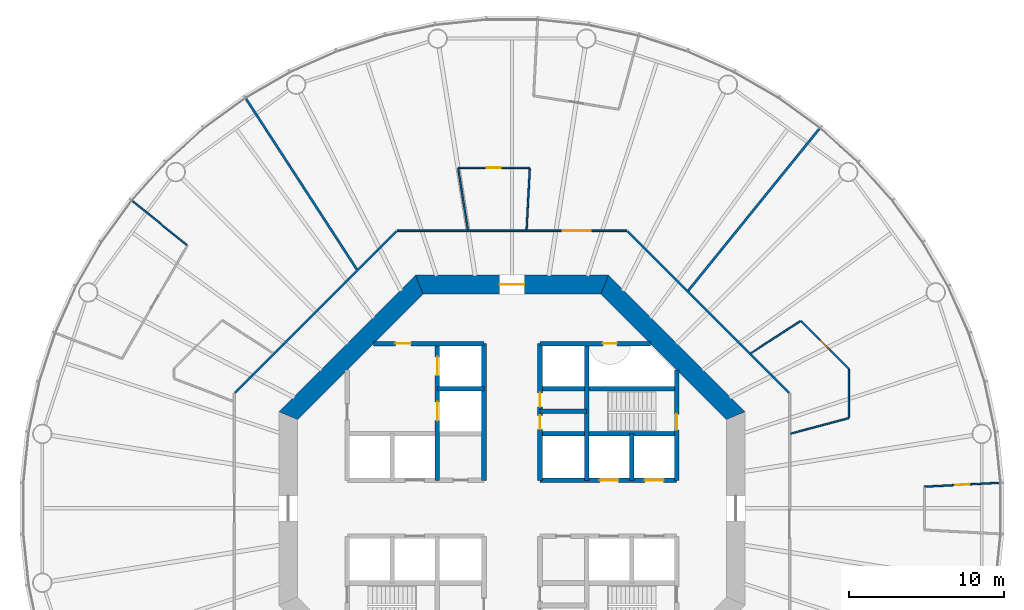
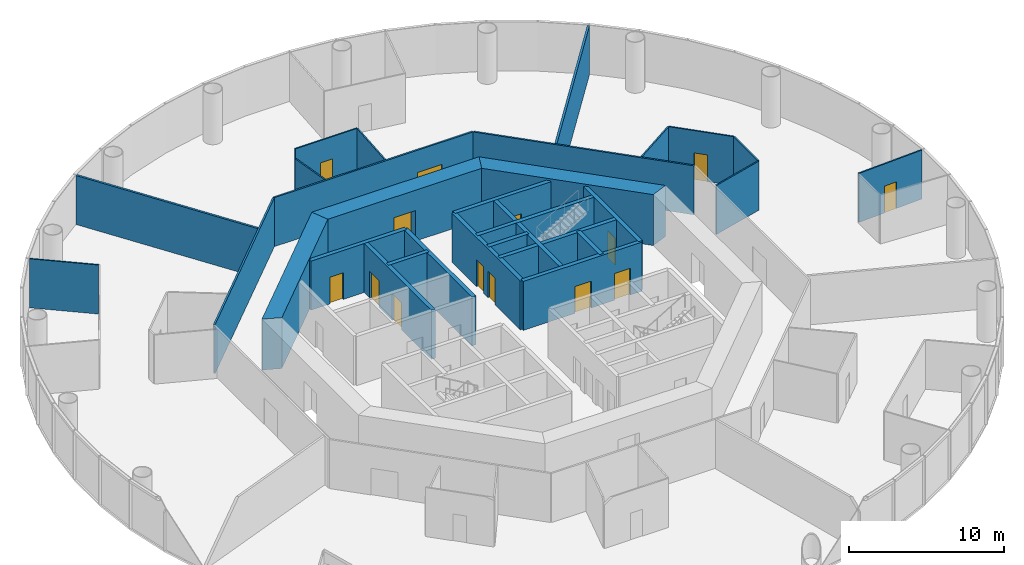
# One storey, part 5 of 13: 30 walls, 14 doors, 14 openings.
"""IFC4 building model written with IfcOpenShell, lengths in metres."""

from ifc_helpers import new_model, si_unit, direction, frame, frame_2d, origin, place, context, subcontext, project, spatial, polyline, rectangle, outline, extrude, material, layer, layer_set, type_object, element, fill, save


model = new_model("IFC4")

# Units and contexts
model_context = context("Model", 3, precision=1e-05, world=origin(), true_north=direction((0.0, 1.0)))
body_context = subcontext(model_context, "Body", "Model", "MODEL_VIEW")
ifc_project = project(units=[si_unit("LENGTHUNIT", "METRE"), si_unit("AREAUNIT", "SQUARE_METRE"), si_unit("VOLUMEUNIT", "CUBIC_METRE"), si_unit("PLANEANGLEUNIT", "RADIAN"), si_unit("MASSUNIT", "GRAM", prefix="KILO")], contexts=[model_context])

# Site, building, storey
site_placement = place(None, origin())
site = spatial("IfcSite", under=ifc_project, at=site_placement, CompositionType="ELEMENT")
building_placement = place(site_placement, origin())
building = spatial("IfcBuilding", under=site, at=building_placement, Name="Entoto Ring Tower", CompositionType="ELEMENT")
storey_placement = place(building_placement, frame((0.0, 0.0, 124.0)))
storey = spatial("IfcBuildingStorey", under=building, at=storey_placement, Name="L28", CompositionType="ELEMENT", Elevation=124.0)

# Wall, opening, door
ifc_material_1 = material(Name="Concrete C40/50", Category="concrete")
ifc_layer_1 = layer(ifc_material_1, 0.300048828125)
ifc_layer_set_1 = layer_set([ifc_layer_1], Name="Concrete C40/50")
wall_type_1 = type_object("IfcWallType", Name="Core enclosure wall 300 mm reinforced concrete", PredefinedType="SOLIDWALL", material=ifc_layer_set_1)
wall_1_placement = place(storey_placement, frame((100.60009765625, 81.800048828125, 0.0), z_axis=(0.0, 0.0, 1.0), x_axis=(0.0, 1.0, 0.0)))
wall_1 = element("IfcWall", 1, at=wall_1_placement, inside=storey, type_object=wall_type_1, Name="wall-L28-002", PredefinedType="SOLIDWALL", context=body_context, shape_type="SweptSolid", body=[
    extrude(rectangle(XDim=7.115966796875, YDim=0.300048828125, at=frame_2d((3.55810546875, 0.0))), origin(), (0.0, 0.0, 1.0), 3.85009765625),
])
opening_1_placement = place(wall_1_placement, frame((3.25, 0.0, 0.0)))
opening_1 = element("IfcOpeningElement", 2, at=opening_1_placement, cuts=wall_1, Name="Opening K-65", PredefinedType="OPENING", context=body_context, shape_type="SweptSolid", body=[
    extrude(rectangle(XDim=1.0, YDim=2.10009765625, at=frame_2d((0.5, 1.050048828125))), frame((0.0, 0.16015625, 0.0), z_axis=(0.0, -1.0, 0.0), x_axis=(1.0, 0.0, 0.0)), (0.0, 0.0, 1.0), 0.320068359375),
])
ifc_material_2 = material(Name="Steel door leaf, fire rated", Category="steel")
ifc_layer_2 = layer(ifc_material_2, 0.050048828125)
ifc_layer_set_2 = layer_set([ifc_layer_2], Name="Steel door leaf, fire rated")
door_type_1 = type_object("IfcDoorType", Name="Fire door FD60 1000 x 2100 single leaf", OperationType="NOTDEFINED", PredefinedType="DOOR", material=ifc_layer_set_2)
door_1_placement = place(opening_1_placement, origin())
door_1 = element("IfcDoor", 3, at=door_1_placement, inside=storey, type_object=door_type_1, Name="Door K-65", OperationType="SINGLE_SWING_RIGHT", OverallHeight=2.10009765625, OverallWidth=1.0, PredefinedType="DOOR", context=body_context, shape_type="SweptSolid", body=[
    extrude(rectangle(XDim=1.0, YDim=2.10009765625, at=frame_2d((0.5, 1.050048828125))), frame((0.0, 0.02490234375, 0.0), z_axis=(0.0, -1.0, 0.0), x_axis=(1.0, 0.0, 0.0)), (0.0, 0.0, 1.0), 0.050048828125),
])
fill(opening_1, door_1)

# Walls
wall_2_placement = place(storey_placement, frame((97.699951171875, 81.800048828125, 0.0), z_axis=(0.0, 0.0, 1.0), x_axis=(0.0, 1.0, 0.0)))
element("IfcWall", 4, at=wall_2_placement, inside=storey, type_object=wall_type_1, Name="wall-L28-004", PredefinedType="SOLIDWALL", context=body_context, shape_type="SweptSolid", body=[
    extrude(rectangle(XDim=3.0, YDim=0.300048828125, at=frame_2d((1.5, 0.0))), origin(), (0.0, 0.0, 1.0), 3.85009765625),
])
wall_3_placement = place(storey_placement, frame((94.800048828125, 81.800048828125, 0.0), z_axis=(0.0, 0.0, 1.0), x_axis=(0.0, 1.0, 0.0)))
element("IfcWall", 5, at=wall_3_placement, inside=storey, type_object=wall_type_1, Name="wall-L28-006", PredefinedType="SOLIDWALL", context=body_context, shape_type="SweptSolid", body=[
    extrude(rectangle(XDim=8.800048828125, YDim=0.300048828125, at=frame_2d((4.39990234375, 0.0))), origin(), (0.0, 0.0, 1.0), 3.85009765625),
])

# Wall, openings, doors
wall_4_placement = place(storey_placement, frame((91.800048828125, 81.800048828125, 0.0), z_axis=(0.0, 0.0, 1.0), x_axis=(0.0, 1.0, 0.0)))
wall_4 = element("IfcWall", 6, at=wall_4_placement, inside=storey, type_object=wall_type_1, Name="wall-L28-008", PredefinedType="SOLIDWALL", context=body_context, shape_type="SweptSolid", body=[
    extrude(rectangle(XDim=8.800048828125, YDim=0.300048828125, at=frame_2d((4.39990234375, 0.0))), origin(), (0.0, 0.0, 1.0), 3.85009765625),
])
opening_2_placement = place(wall_4_placement, frame((3.27490234375, 0.0, 0.0)))
opening_2 = element("IfcOpeningElement", 7, at=opening_2_placement, cuts=wall_4, Name="Opening K-11", PredefinedType="OPENING", context=body_context, shape_type="SweptSolid", body=[
    extrude(rectangle(XDim=0.89990234375, YDim=2.10009765625, at=frame_2d((0.449951171875, 1.050048828125))), frame((0.0, 0.16015625, 0.0), z_axis=(0.0, -1.0, 0.0), x_axis=(1.0, 0.0, 0.0)), (0.0, 0.0, 1.0), 0.320068359375),
])
opening_3_placement = place(wall_4_placement, frame((4.72509765625, 0.0, 0.0)))
opening_3 = element("IfcOpeningElement", 8, at=opening_3_placement, cuts=wall_4, Name="Opening K-12", PredefinedType="OPENING", context=body_context, shape_type="SweptSolid", body=[
    extrude(rectangle(XDim=0.89990234375, YDim=2.10009765625, at=frame_2d((0.449951171875, 1.050048828125))), frame((0.0, 0.16015625, 0.0), z_axis=(0.0, -1.0, 0.0), x_axis=(1.0, 0.0, 0.0)), (0.0, 0.0, 1.0), 0.320068359375),
])
ifc_material_3 = material(Name="Steel door leaf, fire rated", Category="steel")
ifc_layer_3 = layer(ifc_material_3, 0.050048828125)
ifc_layer_set_3 = layer_set([ifc_layer_3], Name="Steel door leaf, fire rated")
door_type_2 = type_object("IfcDoorType", Name="Core door 900 x 2100 single leaf", OperationType="NOTDEFINED", PredefinedType="DOOR", material=ifc_layer_set_3)
door_2_placement = place(opening_2_placement, origin())
door_2 = element("IfcDoor", 9, at=door_2_placement, inside=storey, type_object=door_type_2, Name="Door K-11", OperationType="SINGLE_SWING_RIGHT", OverallHeight=2.10009765625, OverallWidth=0.89990234375, PredefinedType="DOOR", context=body_context, shape_type="SweptSolid", body=[
    extrude(rectangle(XDim=0.89990234375, YDim=2.10009765625, at=frame_2d((0.449951171875, 1.050048828125))), frame((0.0, 0.02490234375, 0.0), z_axis=(0.0, -1.0, 0.0), x_axis=(1.0, 0.0, 0.0)), (0.0, 0.0, 1.0), 0.050048828125),
])
fill(opening_2, door_2)
door_3_placement = place(opening_3_placement, origin())
door_3 = element("IfcDoor", 10, at=door_3_placement, inside=storey, type_object=door_type_2, Name="Door K-12", OperationType="SINGLE_SWING_RIGHT", OverallHeight=2.10009765625, OverallWidth=0.89990234375, PredefinedType="DOOR", context=body_context, shape_type="SweptSolid", body=[
    extrude(rectangle(XDim=0.89990234375, YDim=2.10009765625, at=frame_2d((0.449951171875, 1.050048828125))), frame((0.0, 0.02490234375, 0.0), z_axis=(0.0, -1.0, 0.0), x_axis=(1.0, 0.0, 0.0)), (0.0, 0.0, 1.0), 0.050048828125),
])
fill(opening_3, door_3)

# Wall
wall_5_placement = place(storey_placement, frame((88.199951171875, 81.800048828125, 0.0), z_axis=(0.0, 0.0, 1.0), x_axis=(0.0, 1.0, 0.0)))
element("IfcWall", 11, at=wall_5_placement, inside=storey, type_object=wall_type_1, Name="wall-L28-010", PredefinedType="SOLIDWALL", context=body_context, shape_type="SweptSolid", body=[
    extrude(rectangle(XDim=8.800048828125, YDim=0.300048828125, at=frame_2d((4.39990234375, 0.0))), origin(), (0.0, 0.0, 1.0), 3.85009765625),
])

# Wall, openings, doors
wall_6_placement = place(storey_placement, frame((85.199951171875, 81.800048828125, 0.0), z_axis=(0.0, 0.0, 1.0), x_axis=(0.0, 1.0, 0.0)))
wall_6 = element("IfcWall", 12, at=wall_6_placement, inside=storey, type_object=wall_type_1, Name="wall-L28-012", PredefinedType="SOLIDWALL", context=body_context, shape_type="SweptSolid", body=[
    extrude(rectangle(XDim=8.800048828125, YDim=0.300048828125, at=frame_2d((4.39990234375, 0.0))), origin(), (0.0, 0.0, 1.0), 3.85009765625),
])
opening_4_placement = place(wall_6_placement, frame((3.85009765625, 0.0, 0.0)))
opening_4 = element("IfcOpeningElement", 13, at=opening_4_placement, cuts=wall_6, Name="Opening LD", PredefinedType="OPENING", context=body_context, shape_type="SweptSolid", body=[
    extrude(rectangle(XDim=1.199951171875, YDim=2.10009765625, at=frame_2d((0.60009765625, 1.050048828125))), frame((0.0, 0.16015625, 0.0), z_axis=(0.0, -1.0, 0.0), x_axis=(1.0, 0.0, 0.0)), (0.0, 0.0, 1.0), 0.320068359375),
])
opening_5_placement = place(wall_6_placement, frame((6.75, 0.0, 0.0)))
opening_5 = element("IfcOpeningElement", 14, at=opening_5_placement, cuts=wall_6, Name="Opening LD", PredefinedType="OPENING", context=body_context, shape_type="SweptSolid", body=[
    extrude(rectangle(XDim=1.199951171875, YDim=2.10009765625, at=frame_2d((0.60009765625, 1.050048828125))), frame((0.0, 0.16015625, 0.0), z_axis=(0.0, -1.0, 0.0), x_axis=(1.0, 0.0, 0.0)), (0.0, 0.0, 1.0), 0.320068359375),
])
ifc_material_4 = material(Name="Steel and glass door leaf", Category="steel")
ifc_layer_4 = layer(ifc_material_4, 0.050048828125)
ifc_layer_set_4 = layer_set([ifc_layer_4], Name="Steel and glass door leaf")
door_type_3 = type_object("IfcDoorType", Name="Landing door 1200 x 2100 sliding", OperationType="DOUBLE_DOOR_SLIDING", PredefinedType="DOOR", material=ifc_layer_set_4)
door_4_placement = place(opening_4_placement, origin())
door_4 = element("IfcDoor", 15, at=door_4_placement, inside=storey, type_object=door_type_3, Name="Landing door FF1", OperationType="SLIDING_TO_RIGHT", OverallHeight=2.10009765625, OverallWidth=1.199951171875, PredefinedType="DOOR", context=body_context, shape_type="SweptSolid", body=[
    extrude(rectangle(XDim=1.199951171875, YDim=2.10009765625, at=frame_2d((0.60009765625, 1.050048828125))), frame((0.0, 0.02490234375, 0.0), z_axis=(0.0, -1.0, 0.0), x_axis=(1.0, 0.0, 0.0)), (0.0, 0.0, 1.0), 0.050048828125),
])
fill(opening_4, door_4)
door_5_placement = place(opening_5_placement, origin())
door_5 = element("IfcDoor", 16, at=door_5_placement, inside=storey, type_object=door_type_3, Name="Landing door FF2", OperationType="SLIDING_TO_RIGHT", OverallHeight=2.10009765625, OverallWidth=1.199951171875, PredefinedType="DOOR", context=body_context, shape_type="SweptSolid", body=[
    extrude(rectangle(XDim=1.199951171875, YDim=2.10009765625, at=frame_2d((0.60009765625, 1.050048828125))), frame((0.0, 0.02490234375, 0.0), z_axis=(0.0, -1.0, 0.0), x_axis=(1.0, 0.0, 0.0)), (0.0, 0.0, 1.0), 0.050048828125),
])
fill(opening_5, door_5)

wall_7_placement = place(storey_placement, frame((91.800048828125, 81.800048828125, 0.0), z_axis=(0.0, 0.0, 1.0), x_axis=(1.0, 0.0, 0.0)))
wall_7 = element("IfcWall", 17, at=wall_7_placement, inside=storey, type_object=wall_type_1, Name="wall-L28-028", PredefinedType="SOLIDWALL", context=body_context, shape_type="SweptSolid", body=[
    extrude(rectangle(XDim=8.800048828125, YDim=0.300048828125, at=frame_2d((4.39990234375, 0.0))), origin(), (0.0, 0.0, 1.0), 3.85009765625),
])
opening_6_placement = place(wall_7_placement, frame((3.85009765625, 0.0, 0.0)))
opening_6 = element("IfcOpeningElement", 18, at=opening_6_placement, cuts=wall_7, Name="Opening LD", PredefinedType="OPENING", context=body_context, shape_type="SweptSolid", body=[
    extrude(rectangle(XDim=1.199951171875, YDim=2.10009765625, at=frame_2d((0.60009765625, 1.050048828125))), frame((0.0, 0.16015625, 0.0), z_axis=(0.0, -1.0, 0.0), x_axis=(1.0, 0.0, 0.0)), (0.0, 0.0, 1.0), 0.320068359375),
])
opening_7_placement = place(wall_7_placement, frame((6.75, 0.0, 0.0)))
opening_7 = element("IfcOpeningElement", 19, at=opening_7_placement, cuts=wall_7, Name="Opening LD", PredefinedType="OPENING", context=body_context, shape_type="SweptSolid", body=[
    extrude(rectangle(XDim=1.199951171875, YDim=2.10009765625, at=frame_2d((0.60009765625, 1.050048828125))), frame((0.0, 0.16015625, 0.0), z_axis=(0.0, -1.0, 0.0), x_axis=(1.0, 0.0, 0.0)), (0.0, 0.0, 1.0), 0.320068359375),
])
door_6_placement = place(opening_6_placement, origin())
door_6 = element("IfcDoor", 20, at=door_6_placement, inside=storey, type_object=door_type_3, Name="Landing door LB1-LR", OperationType="SLIDING_TO_RIGHT", OverallHeight=2.10009765625, OverallWidth=1.199951171875, PredefinedType="DOOR", context=body_context, shape_type="SweptSolid", body=[
    extrude(rectangle(XDim=1.199951171875, YDim=2.10009765625, at=frame_2d((0.60009765625, 1.050048828125))), frame((0.0, 0.02490234375, 0.0), z_axis=(0.0, -1.0, 0.0), x_axis=(1.0, 0.0, 0.0)), (0.0, 0.0, 1.0), 0.050048828125),
])
fill(opening_6, door_6)
door_7_placement = place(opening_7_placement, origin())
door_7 = element("IfcDoor", 21, at=door_7_placement, inside=storey, type_object=door_type_3, Name="Landing door LB2-LR", OperationType="SLIDING_TO_RIGHT", OverallHeight=2.10009765625, OverallWidth=1.199951171875, PredefinedType="DOOR", context=body_context, shape_type="SweptSolid", body=[
    extrude(rectangle(XDim=1.199951171875, YDim=2.10009765625, at=frame_2d((0.60009765625, 1.050048828125))), frame((0.0, 0.02490234375, 0.0), z_axis=(0.0, -1.0, 0.0), x_axis=(1.0, 0.0, 0.0)), (0.0, 0.0, 1.0), 0.050048828125),
])
fill(opening_7, door_7)

# Walls
wall_8_placement = place(storey_placement, frame((91.800048828125, 84.800048828125, 0.0), z_axis=(0.0, 0.0, 1.0), x_axis=(1.0, 0.0, 0.0)))
element("IfcWall", 22, at=wall_8_placement, inside=storey, type_object=wall_type_1, Name="wall-L28-030", PredefinedType="SOLIDWALL", context=body_context, shape_type="SweptSolid", body=[
    extrude(rectangle(XDim=8.800048828125, YDim=0.300048828125, at=frame_2d((4.39990234375, 0.0))), origin(), (0.0, 0.0, 1.0), 3.85009765625),
])
for number, where, z_axis, x_axis, name in (
    (23, (91.800048828125, 86.25, 0.0), (0.0, 0.0, 1.0), (1.0, 0.0, 0.0), "wall-L28-031"),
    (24, (85.199951171875, 87.699951171875, 0.0), (0.0, 0.0, 1.0), (1.0, 0.0, 0.0), "wall-L28-032"),
):
    element("IfcWall", number, at=place(storey_placement, frame(where, z_axis=z_axis, x_axis=x_axis)), inside=storey, type_object=wall_type_1, Name=name, PredefinedType="SOLIDWALL", context=body_context, shape_type="SweptSolid", body=[
        extrude(rectangle(XDim=3.0, YDim=0.300048828125, at=frame_2d((1.5, 0.0))), origin(), (0.0, 0.0, 1.0), 3.85009765625),
    ])
wall_9_placement = place(storey_placement, frame((91.800048828125, 87.699951171875, 0.0), z_axis=(0.0, 0.0, 1.0), x_axis=(1.0, 0.0, 0.0)))
element("IfcWall", 25, at=wall_9_placement, inside=storey, type_object=wall_type_1, Name="wall-L28-033", PredefinedType="SOLIDWALL", context=body_context, shape_type="SweptSolid", body=[
    extrude(rectangle(XDim=8.800048828125, YDim=0.300048828125, at=frame_2d((4.39990234375, 0.0))), origin(), (0.0, 0.0, 1.0), 3.85009765625),
])

# Wall, opening, door
wall_10_placement = place(storey_placement, frame((81.083984375, 90.60009765625, 0.0), z_axis=(0.0, 0.0, 1.0), x_axis=(1.0, 0.0, 0.0)))
wall_10 = element("IfcWall", 26, at=wall_10_placement, inside=storey, type_object=wall_type_1, Name="wall-L28-034", PredefinedType="SOLIDWALL", context=body_context, shape_type="SweptSolid", body=[
    extrude(rectangle(XDim=7.115966796875, YDim=0.300048828125, at=frame_2d((3.55810546875, 0.0))), origin(), (0.0, 0.0, 1.0), 3.85009765625),
])
opening_8_placement = place(wall_10_placement, frame((1.416015625, 0.0, 0.0)))
opening_8 = element("IfcOpeningElement", 27, at=opening_8_placement, cuts=wall_10, Name="Opening K-27", PredefinedType="OPENING", context=body_context, shape_type="SweptSolid", body=[
    extrude(rectangle(XDim=1.0, YDim=2.10009765625, at=frame_2d((0.5, 1.050048828125))), frame((0.0, 0.16015625, 0.0), z_axis=(0.0, -1.0, 0.0), x_axis=(1.0, 0.0, 0.0)), (0.0, 0.0, 1.0), 0.320068359375),
])
door_8_placement = place(opening_8_placement, frame((1.0, 0.0, 0.0), z_axis=(0.0, 0.0, 1.0), x_axis=(-1.0, 0.0, 0.0)))
door_8 = element("IfcDoor", 28, at=door_8_placement, inside=storey, type_object=door_type_1, Name="Door K-27", OperationType="SINGLE_SWING_RIGHT", OverallHeight=2.10009765625, OverallWidth=1.0, PredefinedType="DOOR", context=body_context, shape_type="SweptSolid", body=[
    extrude(rectangle(XDim=1.0, YDim=2.10009765625, at=frame_2d((0.5, 1.050048828125))), frame((0.0, 0.02490234375, 0.0), z_axis=(0.0, -1.0, 0.0), x_axis=(1.0, 0.0, 0.0)), (0.0, 0.0, 1.0), 0.050048828125),
])
fill(opening_8, door_8)

wall_11_placement = place(storey_placement, frame((91.800048828125, 90.60009765625, 0.0), z_axis=(0.0, 0.0, 1.0), x_axis=(1.0, 0.0, 0.0)))
wall_11 = element("IfcWall", 29, at=wall_11_placement, inside=storey, type_object=wall_type_1, Name="wall-L28-035", PredefinedType="SOLIDWALL", context=body_context, shape_type="SweptSolid", body=[
    extrude(rectangle(XDim=7.115966796875, YDim=0.300048828125, at=frame_2d((3.55810546875, 0.0))), origin(), (0.0, 0.0, 1.0), 3.85009765625),
])
opening_9_placement = place(wall_11_placement, frame((4.050048828125, 0.0, 0.0)))
opening_9 = element("IfcOpeningElement", 30, at=opening_9_placement, cuts=wall_11, Name="Opening K-72", PredefinedType="OPENING", context=body_context, shape_type="SweptSolid", body=[
    extrude(rectangle(XDim=0.89990234375, YDim=2.10009765625, at=frame_2d((0.449951171875, 1.050048828125))), frame((0.0, 0.16015625, 0.0), z_axis=(0.0, -1.0, 0.0), x_axis=(1.0, 0.0, 0.0)), (0.0, 0.0, 1.0), 0.320068359375),
])
ifc_material_5 = material(Name="Steel door leaf, fire rated", Category="steel")
ifc_layer_5 = layer(ifc_material_5, 0.050048828125)
ifc_layer_set_5 = layer_set([ifc_layer_5], Name="Steel door leaf, fire rated")
door_type_4 = type_object("IfcDoorType", Name="Riser door FD60 900 x 2100 single leaf", OperationType="NOTDEFINED", PredefinedType="DOOR", material=ifc_layer_set_5)
door_9_placement = place(opening_9_placement, frame((0.89990234375, 0.0, 0.0), z_axis=(0.0, 0.0, 1.0), x_axis=(-1.0, 0.0, 0.0)))
door_9 = element("IfcDoor", 31, at=door_9_placement, inside=storey, type_object=door_type_4, Name="Door K-72", OperationType="SINGLE_SWING_LEFT", OverallHeight=2.10009765625, OverallWidth=0.89990234375, PredefinedType="DOOR", context=body_context, shape_type="SweptSolid", body=[
    extrude(rectangle(XDim=0.89990234375, YDim=2.10009765625, at=frame_2d((0.449951171875, 1.050048828125))), frame((0.0, 0.02490234375, 0.0), z_axis=(0.0, -1.0, 0.0), x_axis=(1.0, 0.0, 0.0)), (0.0, 0.0, 1.0), 0.050048828125),
])
fill(opening_9, door_9)

# Wall
ifc_material_6 = material(Name="Concrete C60/75", Category="concrete")
ifc_layer_6 = layer(ifc_material_6, 1.199951171875)
ifc_layer_set_6 = layer_set([ifc_layer_6], Name="Concrete C60/75")
wall_type_2 = type_object("IfcWallType", Name="Core shear wall 1200 mm reinforced concrete C60/75", PredefinedType="SHEAR", material=ifc_layer_set_6)
wall_12_placement = place(storey_placement, frame((104.39990234375, 85.964599609375, 0.0), z_axis=(0.0, 0.0, 1.0), x_axis=(-0.707106781187, 0.707106781187, 0.0)))
element("IfcWall", 32, at=wall_12_placement, inside=storey, type_object=wall_type_2, Name="wall-L28-core-1", PredefinedType="SHEAR", context=body_context, shape_type="SweptSolid", body=[
    extrude(outline(polyline([(-0.24853515625, -0.60009765625), (12.177734375, -0.60009765625), (11.6806640625, 0.60009765625), (0.24853515625, 0.60009765625), (-0.24853515625, -0.60009765625)])), origin(), (0.0, 0.0, 1.0), 4.0),
])

# Wall, opening, door
wall_13_placement = place(storey_placement, frame((95.964599609375, 94.39990234375, 0.0), z_axis=(0.0, 0.0, 1.0), x_axis=(-1.0, 0.0, 0.0)))
wall_13 = element("IfcWall", 33, at=wall_13_placement, inside=storey, type_object=wall_type_2, Name="wall-L28-core-2", PredefinedType="SHEAR", context=body_context, shape_type="SweptSolid", body=[
    extrude(outline(polyline([(-0.24853515625, -0.60009765625), (12.177734375, -0.60009765625), (11.6806640625, 0.60009765625), (0.24853515625, 0.60009765625), (-0.24853515625, -0.60009765625)])), origin(), (0.0, 0.0, 1.0), 4.0),
])
opening_10_placement = place(wall_13_placement, frame((5.164794921875, 0.0, 0.0)))
opening_10 = element("IfcOpeningElement", 34, at=opening_10_placement, cuts=wall_13, Name="Opening K-02", PredefinedType="OPENING", context=body_context, shape_type="SweptSolid", body=[
    extrude(rectangle(XDim=1.60009765625, YDim=2.39990234375, at=frame_2d((0.800048828125, 1.199951171875))), frame((0.0, 0.60986328125, 0.0), z_axis=(0.0, -1.0, 0.0), x_axis=(1.0, 0.0, 0.0)), (0.0, 0.0, 1.0), 1.219970703125),
])
ifc_material_7 = material(Name="Steel door leaf, fire rated", Category="steel")
ifc_layer_7 = layer(ifc_material_7, 0.050048828125)
ifc_layer_set_7 = layer_set([ifc_layer_7], Name="Steel door leaf, fire rated")
door_type_5 = type_object("IfcDoorType", Name="Entrance door FD60 1600 x 2400 double leaf", OperationType="DOUBLE_DOOR_SINGLE_SWING", PredefinedType="DOOR", material=ifc_layer_set_7)
door_10_placement = place(opening_10_placement, origin())
door_10 = element("IfcDoor", 35, at=door_10_placement, inside=storey, type_object=door_type_5, Name="Entrance door K-02", OperationType="DOUBLE_DOOR_SINGLE_SWING", OverallHeight=2.39990234375, OverallWidth=1.60009765625, PredefinedType="DOOR", context=body_context, shape_type="SweptSolid", body=[
    extrude(rectangle(XDim=1.60009765625, YDim=2.39990234375, at=frame_2d((0.800048828125, 1.199951171875))), frame((0.0, 0.02490234375, 0.0), z_axis=(0.0, -1.0, 0.0), x_axis=(1.0, 0.0, 0.0)), (0.0, 0.0, 1.0), 0.050048828125),
])
fill(opening_10, door_10)

# Wall
wall_14_placement = place(storey_placement, frame((84.035400390625, 94.39990234375, 0.0), z_axis=(0.0, 0.0, 1.0), x_axis=(-0.707106781187, -0.707106781187, 0.0)))
element("IfcWall", 36, at=wall_14_placement, inside=storey, type_object=wall_type_2, Name="wall-L28-core-3", PredefinedType="SHEAR", context=body_context, shape_type="SweptSolid", body=[
    extrude(outline(polyline([(-0.24853515625, -0.60009765625), (12.177734375, -0.60009765625), (11.6806640625, 0.60009765625), (0.24853515625, 0.60009765625), (-0.24853515625, -0.60009765625)])), origin(), (0.0, 0.0, 1.0), 4.0),
])

# Wall, opening, door
ifc_material_8 = material(Name="Fire-resisting plasterboard on steel studs", Category="steel")
ifc_layer_8 = layer(ifc_material_8, 0.125)
ifc_layer_set_8 = layer_set([ifc_layer_8], Name="Fire-resisting plasterboard on steel studs")
wall_type_3 = type_object("IfcWallType", Name="Corridor wall 125 mm one-hour plasterboard on steel studs", PredefinedType="PARTITIONING", material=ifc_layer_set_8)
wall_15_placement = place(storey_placement, frame((82.60107421875, 97.862548828125, 0.0), z_axis=(0.0, 0.0, 1.0), x_axis=(1.0, 0.0, 0.0)))
wall_15 = element("IfcWall", 37, at=wall_15_placement, inside=storey, type_object=wall_type_3, Name="partition-L28-003", PredefinedType="PARTITIONING", context=body_context, shape_type="SweptSolid", body=[
    extrude(rectangle(XDim=14.7978515625, YDim=0.125, at=frame_2d((7.39892578125, 0.0))), origin(), (0.0, 0.0, 1.0), 3.85009765625),
])
opening_11_placement = place(wall_15_placement, frame((10.66650390625, 0.0, 0.0)))
opening_11 = element("IfcOpeningElement", 38, at=opening_11_placement, cuts=wall_15, Name="Opening A11-D04", PredefinedType="OPENING", context=body_context, shape_type="SweptSolid", body=[
    extrude(rectangle(XDim=1.800048828125, YDim=2.10009765625, at=frame_2d((0.89990234375, 1.050048828125))), frame((0.0, 0.072509765625, 0.0), z_axis=(0.0, -1.0, 0.0), x_axis=(1.0, 0.0, 0.0)), (0.0, 0.0, 1.0), 0.14501953125),
])
ifc_material_9 = material(Name="Fire-resisting timber door set", Category="wood")
door_type_6 = type_object("IfcDoorType", Name="Door 1800 x 2100 double leaf FD30S fire door", OperationType="DOUBLE_DOOR_SINGLE_SWING", PredefinedType="DOOR", material=ifc_material_9)
door_11_placement = place(opening_11_placement, origin())
door_11 = element("IfcDoor", 39, at=door_11_placement, inside=storey, type_object=door_type_6, Name="Door A11-D04", OperationType="DOUBLE_DOOR_SINGLE_SWING", OverallHeight=2.10009765625, OverallWidth=1.800048828125, PredefinedType="DOOR", context=body_context, shape_type="SweptSolid", body=[
    extrude(rectangle(XDim=1.800048828125, YDim=2.10009765625, at=frame_2d((0.89990234375, 1.050048828125))), frame((0.0, 0.02490234375, 0.0), z_axis=(0.0, -1.0, 0.0), x_axis=(1.0, 0.0, 0.0)), (0.0, 0.0, 1.0), 0.050048828125),
])
fill(opening_11, door_11)

# Walls
for number, where, z_axis, x_axis, name in (
    (40, (72.168701171875, 87.429931640625, 0.0), (0.0, 0.0, 1.0), (0.707106781187, 0.707106781187, 0.0), "partition-L28-005"),
    (41, (107.831298828125, 87.429931640625, 0.0), (0.0, 0.0, 1.0), (-0.707106781187, 0.707106781187, 0.0), "partition-L28-008"),
):
    element("IfcWall", number, at=place(storey_placement, frame(where, z_axis=z_axis, x_axis=x_axis)), inside=storey, type_object=wall_type_3, Name=name, PredefinedType="PARTITIONING", context=body_context, shape_type="SweptSolid", body=[
        extrude(rectangle(XDim=14.709716796875, YDim=0.125, at=frame_2d((7.35498046875, 0.0))), origin(), (0.0, 0.0, 1.0), 3.85009765625),
    ])

# Wall, opening, door
ifc_material_10 = material(Name="Plasterboard on steel studs", Category="steel")
ifc_layer_9 = layer(ifc_material_10, 0.10009765625)
ifc_layer_set_9 = layer_set([ifc_layer_9], Name="Plasterboard on steel studs")
wall_type_4 = type_object("IfcWallType", Name="Partition 100 mm plasterboard on steel studs", PredefinedType="PARTITIONING", material=ifc_layer_set_9)
wall_16_placement = place(storey_placement, frame((116.543701171875, 81.39111328125, 0.0), z_axis=(0.0, 0.0, 1.0), x_axis=(0.998629047007, 0.052345262185, 0.0)))
wall_16 = element("IfcWall", 42, at=wall_16_placement, inside=storey, type_object=wall_type_4, Name="partition-L28-020", PredefinedType="PARTITIONING", context=body_context, shape_type="SweptSolid", body=[
    extrude(rectangle(XDim=4.85986328125, YDim=0.10009765625, at=frame_2d((2.429931640625, 0.0))), origin(), (0.0, 0.0, 1.0), 3.85009765625),
])
opening_12_placement = place(wall_16_placement, frame((1.97998046875, 0.0, 0.0)))
opening_12 = element("IfcOpeningElement", 43, at=opening_12_placement, cuts=wall_16, Name="Opening A11-D03", PredefinedType="OPENING", context=body_context, shape_type="SweptSolid", body=[
    extrude(rectangle(XDim=0.89990234375, YDim=2.10009765625, at=frame_2d((0.449951171875, 1.050048828125))), frame((0.0, 0.06005859375, 0.0), z_axis=(0.0, -1.0, 0.0), x_axis=(1.0, 0.0, 0.0)), (0.0, 0.0, 1.0), 0.1201171875),
])
ifc_material_11 = material(Name="Veneered timber door leaf in timber frame", Category="wood")
door_type_7 = type_object("IfcDoorType", Name="Door 900 x 2100 single leaf timber veneer", OperationType="NOTDEFINED", PredefinedType="DOOR", material=ifc_material_11)
door_12_placement = place(opening_12_placement, frame((0.89990234375, 0.0, 0.0), z_axis=(0.0, 0.0, 1.0), x_axis=(-1.0, 0.0, 0.0)))
door_12 = element("IfcDoor", 44, at=door_12_placement, inside=storey, type_object=door_type_7, Name="Door A11-D03", OperationType="SINGLE_SWING_LEFT", OverallHeight=2.10009765625, OverallWidth=0.89990234375, PredefinedType="DOOR", context=body_context, shape_type="SweptSolid", body=[
    extrude(rectangle(XDim=0.89990234375, YDim=2.10009765625, at=frame_2d((0.449951171875, 1.050048828125))), frame((0.0, 0.02490234375, 0.0), z_axis=(0.0, -1.0, 0.0), x_axis=(1.0, 0.0, 0.0)), (0.0, 0.0, 1.0), 0.050048828125),
])
fill(opening_12, door_12)

wall_17_placement = place(storey_placement, frame((86.529296875, 101.91259765625, 0.0), z_axis=(0.0, 0.0, 1.0), x_axis=(1.0, 0.0, 0.0)))
wall_17 = element("IfcWall", 45, at=wall_17_placement, inside=storey, type_object=wall_type_4, Name="partition-L28-026", PredefinedType="PARTITIONING", context=body_context, shape_type="SweptSolid", body=[
    extrude(rectangle(XDim=4.619140625, YDim=0.10009765625, at=frame_2d((2.3095703125, 0.0))), origin(), (0.0, 0.0, 1.0), 3.85009765625),
])
opening_13_placement = place(wall_17_placement, frame((1.859619140625, 0.0, 0.0)))
opening_13 = element("IfcOpeningElement", 46, at=opening_13_placement, cuts=wall_17, Name="Opening A11-D05", PredefinedType="OPENING", context=body_context, shape_type="SweptSolid", body=[
    extrude(rectangle(XDim=0.89990234375, YDim=2.10009765625, at=frame_2d((0.449951171875, 1.050048828125))), frame((0.0, 0.06005859375, 0.0), z_axis=(0.0, -1.0, 0.0), x_axis=(1.0, 0.0, 0.0)), (0.0, 0.0, 1.0), 0.1201171875),
])
door_13_placement = place(opening_13_placement, frame((0.89990234375, 0.0, 0.0), z_axis=(0.0, 0.0, 1.0), x_axis=(-1.0, 0.0, 0.0)))
door_13 = element("IfcDoor", 47, at=door_13_placement, inside=storey, type_object=door_type_7, Name="Door A11-D05", OperationType="SINGLE_SWING_RIGHT", OverallHeight=2.10009765625, OverallWidth=0.89990234375, PredefinedType="DOOR", context=body_context, shape_type="SweptSolid", body=[
    extrude(rectangle(XDim=0.89990234375, YDim=2.10009765625, at=frame_2d((0.449951171875, 1.050048828125))), frame((0.0, 0.02490234375, 0.0), z_axis=(0.0, -1.0, 0.0), x_axis=(1.0, 0.0, 0.0)), (0.0, 0.0, 1.0), 0.050048828125),
])
fill(opening_13, door_13)

# Wall
wall_18_placement = place(storey_placement, frame((69.072021484375, 96.947265625, 0.0), z_axis=(0.0, 0.0, 1.0), x_axis=(-0.777164197558, 0.629297870674, 0.0)))
element("IfcWall", 48, at=wall_18_placement, inside=storey, type_object=wall_type_4, Name="partition-L28-028", PredefinedType="PARTITIONING", context=body_context, shape_type="SweptSolid", body=[
    extrude(rectangle(XDim=4.5107421875, YDim=0.10009765625, at=frame_2d((2.25537109375, 0.0))), origin(), (0.0, 0.0, 1.0), 3.85009765625),
])

# Wall, opening, door
wall_19_placement = place(storey_placement, frame((111.672607421875, 88.97705078125, 0.0), z_axis=(0.0, 0.0, 1.0), x_axis=(-0.707106781187, 0.707106781187, 0.0)))
wall_19 = element("IfcWall", 49, at=wall_19_placement, inside=storey, type_object=wall_type_4, Name="partition-L28-036", PredefinedType="PARTITIONING", context=body_context, shape_type="SweptSolid", body=[
    extrude(rectangle(XDim=4.370361328125, YDim=0.10009765625, at=frame_2d((2.18505859375, 0.0))), origin(), (0.0, 0.0, 1.0), 3.85009765625),
])
opening_14_placement = place(wall_19_placement, frame((1.735107421875, 0.0, 0.0)))
opening_14 = element("IfcOpeningElement", 50, at=opening_14_placement, cuts=wall_19, Name="Opening A11-D02", PredefinedType="OPENING", context=body_context, shape_type="SweptSolid", body=[
    extrude(rectangle(XDim=0.89990234375, YDim=2.10009765625, at=frame_2d((0.449951171875, 1.050048828125))), frame((0.0, 0.06005859375, 0.0), z_axis=(0.0, -1.0, 0.0), x_axis=(1.0, 0.0, 0.0)), (0.0, 0.0, 1.0), 0.1201171875),
])
door_14_placement = place(opening_14_placement, origin())
door_14 = element("IfcDoor", 51, at=door_14_placement, inside=storey, type_object=door_type_7, Name="Door A11-D02", OperationType="SINGLE_SWING_RIGHT", OverallHeight=2.10009765625, OverallWidth=0.89990234375, PredefinedType="DOOR", context=body_context, shape_type="SweptSolid", body=[
    extrude(rectangle(XDim=0.89990234375, YDim=2.10009765625, at=frame_2d((0.449951171875, 1.050048828125))), frame((0.0, 0.02490234375, 0.0), z_axis=(0.0, -1.0, 0.0), x_axis=(1.0, 0.0, 0.0)), (0.0, 0.0, 1.0), 0.050048828125),
])
fill(opening_14, door_14)

# Walls
wall_20_placement = place(storey_placement, frame((90.939453125, 97.927490234375, 0.0), z_axis=(0.0, 0.0, 1.0), x_axis=(0.052327788451, 0.998629962777, 0.0)))
element("IfcWall", 52, at=wall_20_placement, inside=storey, type_object=wall_type_4, Name="partition-L28-040", PredefinedType="PARTITIONING", context=body_context, shape_type="SweptSolid", body=[
    extrude(rectangle(XDim=3.937744140625, YDim=0.10009765625, at=frame_2d((1.96875, 0.0))), origin(), (0.0, 0.0, 1.0), 3.85009765625),
])
wall_21_placement = place(storey_placement, frame((107.937744140625, 84.806396484375, 0.0), z_axis=(0.0, 0.0, 1.0), x_axis=(0.965927195574, 0.258813934806, 0.0)))
element("IfcWall", 53, at=wall_21_placement, inside=storey, type_object=wall_type_4, Name="partition-L28-042", PredefinedType="PARTITIONING", context=body_context, shape_type="SweptSolid", body=[
    extrude(rectangle(XDim=3.86669921875, YDim=0.10009765625, at=frame_2d((1.933349609375, 0.0))), origin(), (0.0, 0.0, 1.0), 3.85009765625),
])
wall_22_placement = place(storey_placement, frame((105.377685546875, 89.986572265625, 0.0), z_axis=(0.0, 0.0, 1.0), x_axis=(0.838700828567, 0.54459243491, 0.0)))
element("IfcWall", 54, at=wall_22_placement, inside=storey, type_object=wall_type_4, Name="partition-L28-043", PredefinedType="PARTITIONING", context=body_context, shape_type="SweptSolid", body=[
    extrude(rectangle(XDim=3.77197265625, YDim=0.10009765625, at=frame_2d((1.885986328125, 0.0))), origin(), (0.0, 0.0, 1.0), 3.85009765625),
])
wall_23_placement = place(storey_placement, frame((111.672607421875, 85.855224609375, 0.0), z_axis=(0.0, 0.0, 1.0), x_axis=(0.0, 1.0, 0.0)))
element("IfcWall", 55, at=wall_23_placement, inside=storey, type_object=wall_type_4, Name="partition-L28-046", PredefinedType="PARTITIONING", context=body_context, shape_type="SweptSolid", body=[
    extrude(rectangle(XDim=3.086669921875, YDim=0.10009765625, at=frame_2d((1.54345703125, 0.0))), origin(), (0.0, 0.0, 1.0), 3.85009765625),
])
ifc_material_12 = material(Name="Plasterboard on steel studs", Category="steel")
ifc_layer_10 = layer(ifc_material_12, 0.10009765625)
ifc_layer_set_10 = layer_set([ifc_layer_10], Name="Plasterboard on steel studs")
wall_type_5 = type_object("IfcWallType", Name="Partition 100 mm plasterboard on steel studs, 3097 mm high", PredefinedType="PARTITIONING", material=ifc_layer_set_10)
wall_24_placement = place(storey_placement, frame((87.15966796875, 97.9326171875, 0.0), z_axis=(0.0, 0.0, 1.0), x_axis=(-0.156407713448, 0.98769257726, 0.0)))
element("IfcWall", 56, at=wall_24_placement, inside=storey, type_object=wall_type_5, Name="partition-L28-039", PredefinedType="PARTITIONING", context=body_context, shape_type="SweptSolid", body=[
    extrude(rectangle(XDim=3.970947265625, YDim=0.10009765625, at=frame_2d((1.9853515625, 0.0))), origin(), (0.0, 0.0, 1.0), 3.096923828125),
])
ifc_material_13 = material(Name="Fire-resisting acoustic plasterboard on steel studs", Category="steel")
ifc_layer_11 = layer(ifc_material_13, 0.14990234375)
ifc_layer_set_11 = layer_set([ifc_layer_11], Name="Fire-resisting acoustic plasterboard on steel studs")
wall_type_6 = type_object("IfcWallType", Name="Party wall 150 mm one-hour acoustic plasterboard on steel studs", PredefinedType="PARTITIONING", material=ifc_layer_set_11)
wall_25_placement = place(storey_placement, frame((101.34765625, 94.01318359375, 0.0), z_axis=(0.0, 0.0, 1.0), x_axis=(0.629318168553, 0.777147761194, 0.0)))
element("IfcWall", 57, at=wall_25_placement, inside=storey, type_object=wall_type_6, Name="partition-L28-009", PredefinedType="PARTITIONING", context=body_context, shape_type="SweptSolid", body=[
    extrude(rectangle(XDim=13.408447265625, YDim=0.14990234375, at=frame_2d((6.7041015625, 0.0))), origin(), (0.0, 0.0, 1.0), 3.85009765625),
])
wall_26_placement = place(storey_placement, frame((80.010498046875, 95.38232421875, 0.0), z_axis=(0.0, 0.0, 1.0), x_axis=(-0.544633876721, 0.838673917758, 0.0)))
element("IfcWall", 58, at=wall_26_placement, inside=storey, type_object=wall_type_6, Name="partition-L28-010", PredefinedType="PARTITIONING", context=body_context, shape_type="SweptSolid", body=[
    extrude(rectangle(XDim=13.098876953125, YDim=0.14990234375, at=frame_2d((6.54931640625, 0.0))), origin(), (0.0, 0.0, 1.0), 3.85009765625),
])

save(model, "model.ifc")
